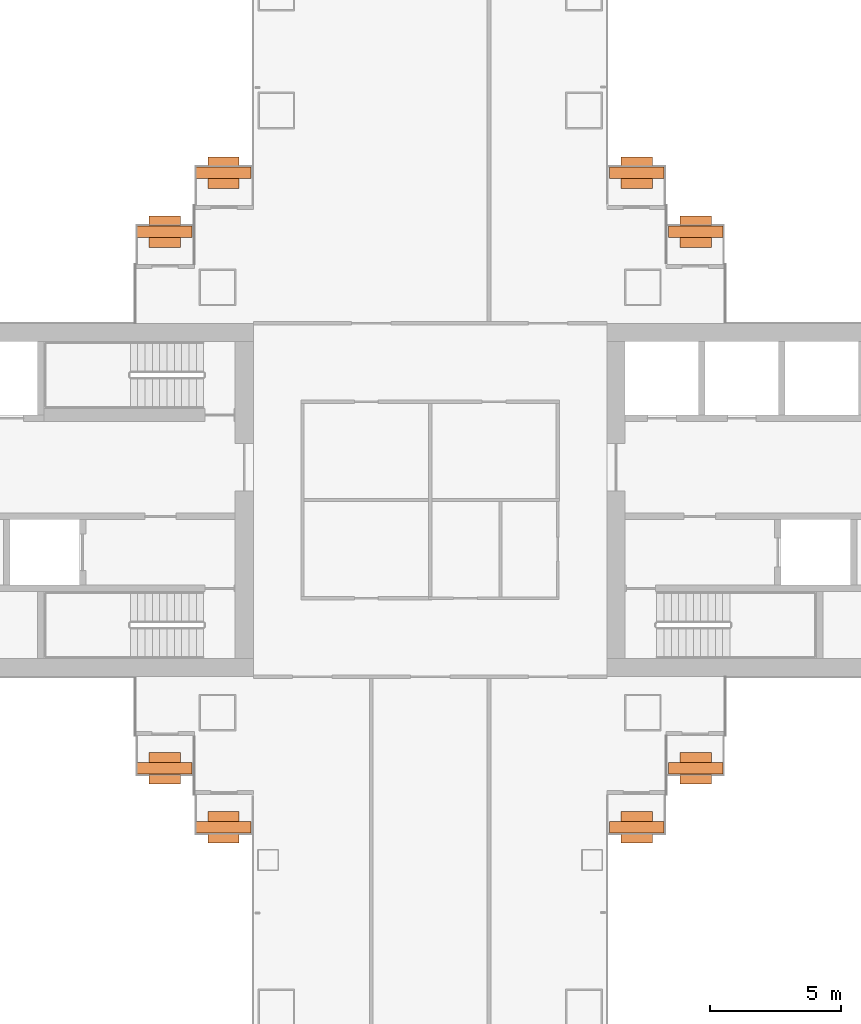
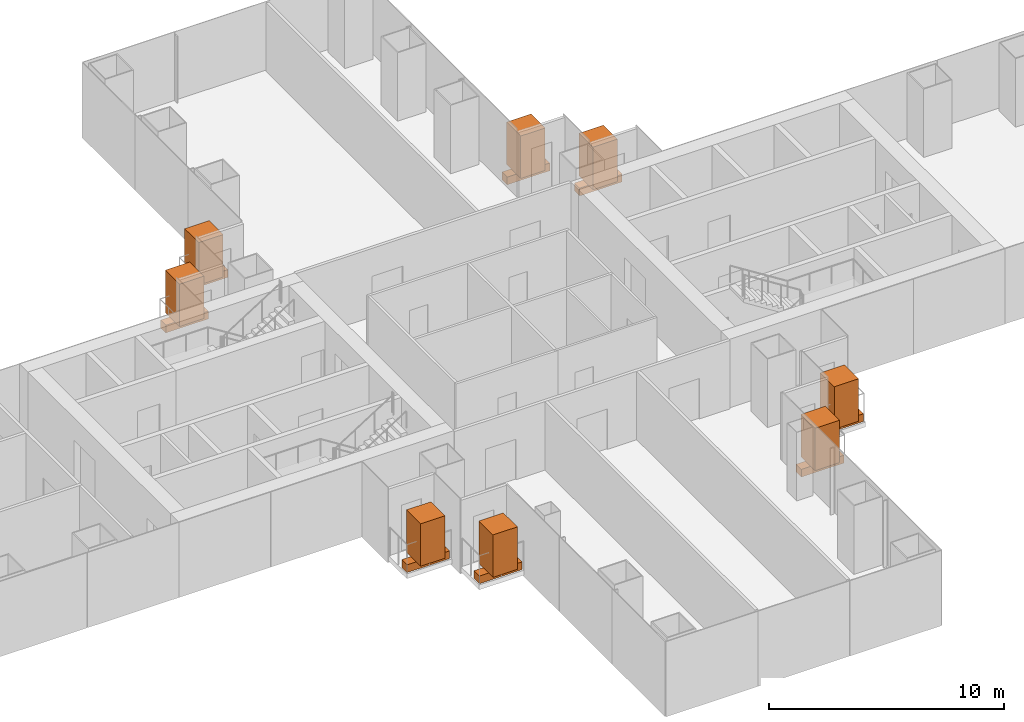
# One storey, part 21 of 21: 8 geographic elements, 8 proxies.
"""IFC4 building model written with IfcOpenShell, lengths in metres."""

from ifc_helpers import new_model, si_unit, direction, frame, origin, origin_2d, place, context, subcontext, project, spatial, rectangle, extrude, material, type_object, element, save


model = new_model("IFC4")

# Units and contexts
model_context = context("Model", 3, precision=1e-05, world=origin(), true_north=direction((0.0, 1.0)))
body_context = subcontext(model_context, "Body", "Model", "MODEL_VIEW")
ifc_project = project(units=[si_unit("LENGTHUNIT", "METRE"), si_unit("AREAUNIT", "SQUARE_METRE"), si_unit("VOLUMEUNIT", "CUBIC_METRE"), si_unit("PLANEANGLEUNIT", "RADIAN"), si_unit("MASSUNIT", "GRAM", prefix="KILO")], contexts=[model_context])

# Site, building, storey
site_placement = place(None, origin())
site = spatial("IfcSite", under=ifc_project, at=site_placement, CompositionType="ELEMENT")
building_placement = place(site_placement, origin())
building = spatial("IfcBuilding", under=site, at=building_placement, Name="Shamsa Quay Exchange Towers", CompositionType="ELEMENT")
storey_placement = place(building_placement, frame((0.0, 0.0, 45.89990234375)))
storey = spatial("IfcBuildingStorey", under=building, at=storey_placement, Name="L09", CompositionType="ELEMENT", Elevation=45.89990234375)

# Proxies
ifc_material_1 = material(Name="Reinforced concrete C30/37, black glass-fibre faced", Category="concrete")
building_element_proxy_type = type_object("IfcBuildingElementProxyType", Name="BALCONY PLANTER", PredefinedType="USERDEFINED", material=ifc_material_1)
for number, where, z_axis, x_axis, name in (
    (1, (-23.60595703125, 10.2451171875, 0.000244140625), (0.0, 0.0, 1.0), (-1.0, 0.0, 0.0), "PLANTER T1-PKEN L09"),
    (2, (-25.85595703125, 12.4951171875, 0.000244140625), (0.0, 0.0, 1.0), (-1.0, 0.0, 0.0), "PLANTER T1-PKEN L09"),
):
    element("IfcBuildingElementProxy", number, at=place(storey_placement, frame(where, z_axis=z_axis, x_axis=x_axis)), inside=storey, type_object=building_element_proxy_type, Name=name, ObjectType="PLANTER", PredefinedType="USERDEFINED", context=body_context, shape_type="SweptSolid", body=[
        extrude(rectangle(XDim=2.092041015625, YDim=0.449951171875, at=origin_2d()), origin(), (0.0, 0.0, 1.0), 0.39990234375),
    ])
for number, where, name in (
    (3, (-23.60595703125, -10.2451171875, 0.000244140625), "PLANTER T1-PKES L09"),
    (4, (-25.85595703125, -12.4951171875, 0.000244140625), "PLANTER T1-PKES L09"),
):
    element("IfcBuildingElementProxy", number, at=place(storey_placement, frame(where)), inside=storey, type_object=building_element_proxy_type, Name=name, ObjectType="PLANTER", PredefinedType="USERDEFINED", context=body_context, shape_type="SweptSolid", body=[
        extrude(rectangle(XDim=2.092041015625, YDim=0.449951171875, at=origin_2d()), origin(), (0.0, 0.0, 1.0), 0.39990234375),
    ])
for number, where, z_axis, x_axis, name in (
    (5, (-41.64404296875, 12.4951171875, 0.000244140625), (0.0, 0.0, 1.0), (-1.0, 0.0, 0.0), "PLANTER T1-PKWN L09"),
    (6, (-43.89404296875, 10.2451171875, 0.000244140625), (0.0, 0.0, 1.0), (-1.0, 0.0, 0.0), "PLANTER T1-PKWN L09"),
):
    element("IfcBuildingElementProxy", number, at=place(storey_placement, frame(where, z_axis=z_axis, x_axis=x_axis)), inside=storey, type_object=building_element_proxy_type, Name=name, ObjectType="PLANTER", PredefinedType="USERDEFINED", context=body_context, shape_type="SweptSolid", body=[
        extrude(rectangle(XDim=2.092041015625, YDim=0.449951171875, at=origin_2d()), origin(), (0.0, 0.0, 1.0), 0.39990234375),
    ])
for number, where, name in (
    (7, (-43.89404296875, -10.2451171875, 0.000244140625), "PLANTER T1-PKWS L09"),
    (8, (-41.64404296875, -12.4951171875, 0.000244140625), "PLANTER T1-PKWS L09"),
):
    element("IfcBuildingElementProxy", number, at=place(storey_placement, frame(where)), inside=storey, type_object=building_element_proxy_type, Name=name, ObjectType="PLANTER", PredefinedType="USERDEFINED", context=body_context, shape_type="SweptSolid", body=[
        extrude(rectangle(XDim=2.092041015625, YDim=0.449951171875, at=origin_2d()), origin(), (0.0, 0.0, 1.0), 0.39990234375),
    ])

# Geographic elements
ifc_material_2 = material(Name="Planting")
geographic_element_type = type_object("IfcGeographicElementType", Name="BALCONY TREE", PredefinedType="USERDEFINED", material=ifc_material_2)
for number, where, z_axis, x_axis, name in (
    (9, (-23.60595703125, 10.2451171875, 0.39990234375), (0.0, 0.0, 1.0), (-1.0, 0.0, 0.0), "TREE T1-PKEN L09"),
    (10, (-25.85595703125, 12.4951171875, 0.39990234375), (0.0, 0.0, 1.0), (-1.0, 0.0, 0.0), "TREE T1-PKEN L09"),
):
    element("IfcGeographicElement", number, at=place(storey_placement, frame(where, z_axis=z_axis, x_axis=x_axis)), inside=storey, type_object=geographic_element_type, Name=name, ObjectType="TREE", PredefinedType="USERDEFINED", context=body_context, shape_type="SweptSolid", body=[
        extrude(rectangle(XDim=1.199951171875, YDim=1.199951171875, at=origin_2d()), origin(), (0.0, 0.0, 1.0), 2.199951171875),
    ])
for number, where, name in (
    (11, (-23.60595703125, -10.2451171875, 0.39990234375), "TREE T1-PKES L09"),
    (12, (-25.85595703125, -12.4951171875, 0.39990234375), "TREE T1-PKES L09"),
):
    element("IfcGeographicElement", number, at=place(storey_placement, frame(where)), inside=storey, type_object=geographic_element_type, Name=name, ObjectType="TREE", PredefinedType="USERDEFINED", context=body_context, shape_type="SweptSolid", body=[
        extrude(rectangle(XDim=1.199951171875, YDim=1.199951171875, at=origin_2d()), origin(), (0.0, 0.0, 1.0), 2.199951171875),
    ])
for number, where, z_axis, x_axis, name in (
    (13, (-41.64404296875, 12.4951171875, 0.39990234375), (0.0, 0.0, 1.0), (-1.0, 0.0, 0.0), "TREE T1-PKWN L09"),
    (14, (-43.89404296875, 10.2451171875, 0.39990234375), (0.0, 0.0, 1.0), (-1.0, 0.0, 0.0), "TREE T1-PKWN L09"),
):
    element("IfcGeographicElement", number, at=place(storey_placement, frame(where, z_axis=z_axis, x_axis=x_axis)), inside=storey, type_object=geographic_element_type, Name=name, ObjectType="TREE", PredefinedType="USERDEFINED", context=body_context, shape_type="SweptSolid", body=[
        extrude(rectangle(XDim=1.199951171875, YDim=1.199951171875, at=origin_2d()), origin(), (0.0, 0.0, 1.0), 2.199951171875),
    ])
for number, where, name in (
    (15, (-43.89404296875, -10.2451171875, 0.39990234375), "TREE T1-PKWS L09"),
    (16, (-41.64404296875, -12.4951171875, 0.39990234375), "TREE T1-PKWS L09"),
):
    element("IfcGeographicElement", number, at=place(storey_placement, frame(where)), inside=storey, type_object=geographic_element_type, Name=name, ObjectType="TREE", PredefinedType="USERDEFINED", context=body_context, shape_type="SweptSolid", body=[
        extrude(rectangle(XDim=1.199951171875, YDim=1.199951171875, at=origin_2d()), origin(), (0.0, 0.0, 1.0), 2.199951171875),
    ])

save(model, "model.ifc")
